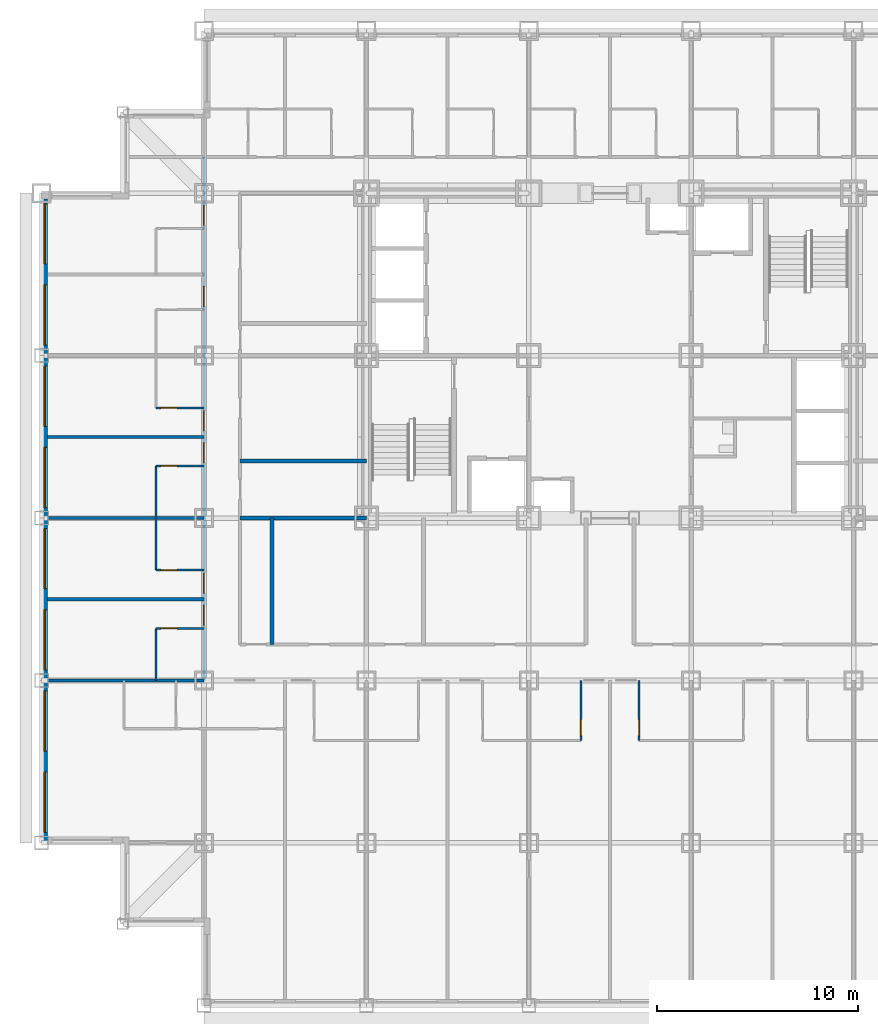
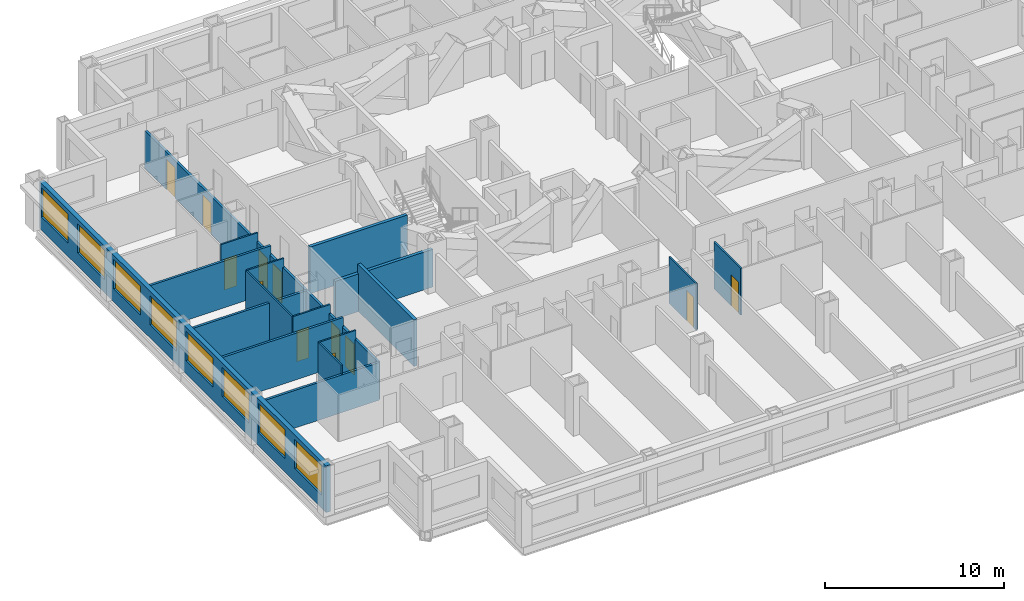
# One storey, part 4 of 13: 17 walls, 12 doors, 8 windows, 20 openings.
"""IFC4 building model written with IfcOpenShell, lengths in metres."""

from ifc_helpers import new_model, si_unit, direction, frame, frame_2d, origin, place, context, subcontext, project, spatial, rectangle, extrude, material, layer, layer_set, type_object, element, fill, save


model = new_model("IFC4")

# Units and contexts
model_context = context("Model", 3, precision=1e-05, world=origin(), true_north=direction((0.0, 1.0)))
body_context = subcontext(model_context, "Body", "Model", "MODEL_VIEW")
ifc_project = project(units=[si_unit("LENGTHUNIT", "METRE"), si_unit("AREAUNIT", "SQUARE_METRE"), si_unit("VOLUMEUNIT", "CUBIC_METRE"), si_unit("PLANEANGLEUNIT", "RADIAN"), si_unit("MASSUNIT", "GRAM", prefix="KILO")], contexts=[model_context])

# Site, building, storey
site_placement = place(None, origin())
site = spatial("IfcSite", under=ifc_project, at=site_placement, CompositionType="ELEMENT")
building_placement = place(site_placement, origin())
building = spatial("IfcBuilding", under=site, at=building_placement, Name="Kopane Lantern Tower", CompositionType="ELEMENT")
storey_placement = place(building_placement, frame((0.0, 0.0, 50.0)))
storey = spatial("IfcBuildingStorey", under=building, at=storey_placement, Name="L11", CompositionType="ELEMENT", Elevation=50.0)

# Wall, opening, door
ifc_material_1 = material(Name="Moisture-resistant board on steel studs", Category="steel")
ifc_layer_1 = layer(ifc_material_1, 0.10009765625)
ifc_layer_set_1 = layer_set([ifc_layer_1], Name="BATHROOM WALL 100")
wall_type_1 = type_object("IfcWallType", Name="BATHROOM WALL 100", PredefinedType="PARTITIONING", material=ifc_layer_set_1)
wall_1_placement = place(storey_placement, frame((26.89990234375, 16.199951171875, 0.0), z_axis=(0.0, 0.0, 1.0), x_axis=(0.0, -1.0, 0.0)))
wall_1 = element("IfcWall", 1, at=wall_1_placement, inside=storey, type_object=wall_type_1, Name="Bathroom Wall 100 L11", PredefinedType="PARTITIONING", context=body_context, shape_type="SweptSolid", body=[
    extrude(rectangle(XDim=3.0, YDim=0.10009765625, at=frame_2d((1.5, 0.0))), origin(), (0.0, 0.0, 1.0), 3.18994140625),
])
opening_1_placement = place(wall_1_placement, frame((1.949951171875, 0.0, 0.0)))
opening_1 = element("IfcOpeningElement", 2, at=opening_1_placement, cuts=wall_1, Name="Opening L11-022", PredefinedType="OPENING", context=body_context, shape_type="SweptSolid", body=[
    extrude(rectangle(XDim=0.800048828125, YDim=2.10009765625, at=frame_2d((0.39990234375, 1.050048828125))), frame((0.0, 0.06005859375, 0.0), z_axis=(0.0, -1.0, 0.0), x_axis=(1.0, 0.0, 0.0)), (0.0, 0.0, 1.0), 0.1201171875),
])
ifc_material_2 = material(Name="Timber door set", Category="wood")
door_type_1 = type_object("IfcDoorType", Name="DOOR D2 800x2100", OperationType="SINGLE_SWING_LEFT", PredefinedType="DOOR", material=ifc_material_2)
door_1_placement = place(opening_1_placement, origin())
door_1 = element("IfcDoor", 3, at=door_1_placement, inside=storey, type_object=door_type_1, Name="Door L11-022", OperationType="SINGLE_SWING_LEFT", OverallHeight=2.10009765625, OverallWidth=0.800048828125, PredefinedType="DOOR", context=body_context, shape_type="SweptSolid", body=[
    extrude(rectangle(XDim=0.800048828125, YDim=2.10009765625, at=frame_2d((0.39990234375, 1.050048828125))), frame((0.0, 0.02490234375, 0.0), z_axis=(0.0, -1.0, 0.0), x_axis=(1.0, 0.0, 0.0)), (0.0, 0.0, 1.0), 0.050048828125),
])
fill(opening_1, door_1)

wall_2_placement = place(storey_placement, frame((29.800048828125, 16.199951171875, 0.0), z_axis=(0.0, 0.0, 1.0), x_axis=(0.0, -1.0, 0.0)))
wall_2 = element("IfcWall", 4, at=wall_2_placement, inside=storey, type_object=wall_type_1, Name="Bathroom Wall 100 L11", PredefinedType="PARTITIONING", context=body_context, shape_type="SweptSolid", body=[
    extrude(rectangle(XDim=3.0, YDim=0.10009765625, at=frame_2d((1.5, 0.0))), origin(), (0.0, 0.0, 1.0), 3.18994140625),
])
opening_2_placement = place(wall_2_placement, frame((1.949951171875, 0.0, 0.0)))
opening_2 = element("IfcOpeningElement", 5, at=opening_2_placement, cuts=wall_2, Name="Opening L11-025", PredefinedType="OPENING", context=body_context, shape_type="SweptSolid", body=[
    extrude(rectangle(XDim=0.800048828125, YDim=2.10009765625, at=frame_2d((0.39990234375, 1.050048828125))), frame((0.0, 0.06005859375, 0.0), z_axis=(0.0, -1.0, 0.0), x_axis=(1.0, 0.0, 0.0)), (0.0, 0.0, 1.0), 0.1201171875),
])
door_2_placement = place(opening_2_placement, origin())
door_2 = element("IfcDoor", 6, at=door_2_placement, inside=storey, type_object=door_type_1, Name="Door L11-025", OperationType="SINGLE_SWING_RIGHT", OverallHeight=2.10009765625, OverallWidth=0.800048828125, PredefinedType="DOOR", context=body_context, shape_type="SweptSolid", body=[
    extrude(rectangle(XDim=0.800048828125, YDim=2.10009765625, at=frame_2d((0.39990234375, 1.050048828125))), frame((0.0, 0.02490234375, 0.0), z_axis=(0.0, -1.0, 0.0), x_axis=(1.0, 0.0, 0.0)), (0.0, 0.0, 1.0), 0.050048828125),
])
fill(opening_2, door_2)

# Wall
wall_3_placement = place(storey_placement, frame((5.699951171875, 16.199951171875, 0.0), z_axis=(0.0, 0.0, 1.0), x_axis=(0.0, 1.0, 0.0)))
element("IfcWall", 7, at=wall_3_placement, inside=storey, type_object=wall_type_1, Name="Bathroom Wall 100 L11", PredefinedType="PARTITIONING", context=body_context, shape_type="SweptSolid", body=[
    extrude(rectangle(XDim=2.60009765625, YDim=0.10009765625, at=frame_2d((1.300048828125, 0.0))), origin(), (0.0, 0.0, 1.0), 3.18994140625),
])

# Wall, opening, door
wall_4_placement = place(storey_placement, frame((8.10009765625, 18.800048828125, 0.0), z_axis=(0.0, 0.0, 1.0), x_axis=(-1.0, 0.0, 0.0)))
wall_4 = element("IfcWall", 8, at=wall_4_placement, inside=storey, type_object=wall_type_1, Name="Bathroom Wall 100 L11", PredefinedType="PARTITIONING", context=body_context, shape_type="SweptSolid", body=[
    extrude(rectangle(XDim=2.400146484375, YDim=0.10009765625, at=frame_2d((1.2001953125, 0.0))), origin(), (0.0, 0.0, 1.0), 3.18994140625),
])
opening_3_placement = place(wall_4_placement, frame((1.35009765625, 0.0, 0.0)))
opening_3 = element("IfcOpeningElement", 9, at=opening_3_placement, cuts=wall_4, Name="Opening L11-049", PredefinedType="OPENING", context=body_context, shape_type="SweptSolid", body=[
    extrude(rectangle(XDim=0.800048828125, YDim=2.10009765625, at=frame_2d((0.39990234375, 1.050048828125))), frame((0.0, 0.06005859375, 0.0), z_axis=(0.0, -1.0, 0.0), x_axis=(1.0, 0.0, 0.0)), (0.0, 0.0, 1.0), 0.1201171875),
])
door_3_placement = place(opening_3_placement, origin())
door_3 = element("IfcDoor", 10, at=door_3_placement, inside=storey, type_object=door_type_1, Name="Door L11-049", OperationType="SINGLE_SWING_RIGHT", OverallHeight=2.10009765625, OverallWidth=0.800048828125, PredefinedType="DOOR", context=body_context, shape_type="SweptSolid", body=[
    extrude(rectangle(XDim=0.800048828125, YDim=2.10009765625, at=frame_2d((0.39990234375, 1.050048828125))), frame((0.0, 0.02490234375, 0.0), z_axis=(0.0, -1.0, 0.0), x_axis=(1.0, 0.0, 0.0)), (0.0, 0.0, 1.0), 0.050048828125),
])
fill(opening_3, door_3)

# Wall
wall_5_placement = place(storey_placement, frame((5.699951171875, 21.699951171875, 0.0), z_axis=(0.0, 0.0, 1.0), x_axis=(0.0, 1.0, 0.0)))
element("IfcWall", 11, at=wall_5_placement, inside=storey, type_object=wall_type_1, Name="Bathroom Wall 100 L11", PredefinedType="PARTITIONING", context=body_context, shape_type="SweptSolid", body=[
    extrude(rectangle(XDim=5.199951171875, YDim=0.10009765625, at=frame_2d((2.60009765625, 0.0))), origin(), (0.0, 0.0, 1.0), 3.18994140625),
])

# Wall, opening, door
wall_6_placement = place(storey_placement, frame((8.10009765625, 21.699951171875, 0.0), z_axis=(0.0, 0.0, 1.0), x_axis=(-1.0, 0.0, 0.0)))
wall_6 = element("IfcWall", 12, at=wall_6_placement, inside=storey, type_object=wall_type_1, Name="Bathroom Wall 100 L11", PredefinedType="PARTITIONING", context=body_context, shape_type="SweptSolid", body=[
    extrude(rectangle(XDim=2.400146484375, YDim=0.10009765625, at=frame_2d((1.2001953125, 0.0))), origin(), (0.0, 0.0, 1.0), 3.18994140625),
])
opening_4_placement = place(wall_6_placement, frame((1.35009765625, 0.0, 0.0)))
opening_4 = element("IfcOpeningElement", 13, at=opening_4_placement, cuts=wall_6, Name="Opening L11-051", PredefinedType="OPENING", context=body_context, shape_type="SweptSolid", body=[
    extrude(rectangle(XDim=0.800048828125, YDim=2.10009765625, at=frame_2d((0.39990234375, 1.050048828125))), frame((0.0, 0.06005859375, 0.0), z_axis=(0.0, -1.0, 0.0), x_axis=(1.0, 0.0, 0.0)), (0.0, 0.0, 1.0), 0.1201171875),
])
door_4_placement = place(opening_4_placement, origin())
door_4 = element("IfcDoor", 14, at=door_4_placement, inside=storey, type_object=door_type_1, Name="Door L11-051", OperationType="SINGLE_SWING_LEFT", OverallHeight=2.10009765625, OverallWidth=0.800048828125, PredefinedType="DOOR", context=body_context, shape_type="SweptSolid", body=[
    extrude(rectangle(XDim=0.800048828125, YDim=2.10009765625, at=frame_2d((0.39990234375, 1.050048828125))), frame((0.0, 0.02490234375, 0.0), z_axis=(0.0, -1.0, 0.0), x_axis=(1.0, 0.0, 0.0)), (0.0, 0.0, 1.0), 0.050048828125),
])
fill(opening_4, door_4)

wall_7_placement = place(storey_placement, frame((8.10009765625, 26.89990234375, 0.0), z_axis=(0.0, 0.0, 1.0), x_axis=(-1.0, 0.0, 0.0)))
wall_7 = element("IfcWall", 15, at=wall_7_placement, inside=storey, type_object=wall_type_1, Name="Bathroom Wall 100 L11", PredefinedType="PARTITIONING", context=body_context, shape_type="SweptSolid", body=[
    extrude(rectangle(XDim=2.400146484375, YDim=0.10009765625, at=frame_2d((1.2001953125, 0.0))), origin(), (0.0, 0.0, 1.0), 3.18994140625),
])
opening_5_placement = place(wall_7_placement, frame((1.35009765625, 0.0, 0.0)))
opening_5 = element("IfcOpeningElement", 16, at=opening_5_placement, cuts=wall_7, Name="Opening L11-053", PredefinedType="OPENING", context=body_context, shape_type="SweptSolid", body=[
    extrude(rectangle(XDim=0.800048828125, YDim=2.10009765625, at=frame_2d((0.39990234375, 1.050048828125))), frame((0.0, 0.06005859375, 0.0), z_axis=(0.0, -1.0, 0.0), x_axis=(1.0, 0.0, 0.0)), (0.0, 0.0, 1.0), 0.1201171875),
])
door_5_placement = place(opening_5_placement, origin())
door_5 = element("IfcDoor", 17, at=door_5_placement, inside=storey, type_object=door_type_1, Name="Door L11-053", OperationType="SINGLE_SWING_RIGHT", OverallHeight=2.10009765625, OverallWidth=0.800048828125, PredefinedType="DOOR", context=body_context, shape_type="SweptSolid", body=[
    extrude(rectangle(XDim=0.800048828125, YDim=2.10009765625, at=frame_2d((0.39990234375, 1.050048828125))), frame((0.0, 0.02490234375, 0.0), z_axis=(0.0, -1.0, 0.0), x_axis=(1.0, 0.0, 0.0)), (0.0, 0.0, 1.0), 0.050048828125),
])
fill(opening_5, door_5)

wall_8_placement = place(storey_placement, frame((8.10009765625, 29.800048828125, 0.0), z_axis=(0.0, 0.0, 1.0), x_axis=(-1.0, 0.0, 0.0)))
wall_8 = element("IfcWall", 18, at=wall_8_placement, inside=storey, type_object=wall_type_1, Name="Bathroom Wall 100 L11", PredefinedType="PARTITIONING", context=body_context, shape_type="SweptSolid", body=[
    extrude(rectangle(XDim=2.400146484375, YDim=0.10009765625, at=frame_2d((1.2001953125, 0.0))), origin(), (0.0, 0.0, 1.0), 3.18994140625),
])
opening_6_placement = place(wall_8_placement, frame((1.35009765625, 0.0, 0.0)))
opening_6 = element("IfcOpeningElement", 19, at=opening_6_placement, cuts=wall_8, Name="Opening L11-055", PredefinedType="OPENING", context=body_context, shape_type="SweptSolid", body=[
    extrude(rectangle(XDim=0.800048828125, YDim=2.10009765625, at=frame_2d((0.39990234375, 1.050048828125))), frame((0.0, 0.06005859375, 0.0), z_axis=(0.0, -1.0, 0.0), x_axis=(1.0, 0.0, 0.0)), (0.0, 0.0, 1.0), 0.1201171875),
])
door_6_placement = place(opening_6_placement, origin())
door_6 = element("IfcDoor", 20, at=door_6_placement, inside=storey, type_object=door_type_1, Name="Door L11-055", OperationType="SINGLE_SWING_LEFT", OverallHeight=2.10009765625, OverallWidth=0.800048828125, PredefinedType="DOOR", context=body_context, shape_type="SweptSolid", body=[
    extrude(rectangle(XDim=0.800048828125, YDim=2.10009765625, at=frame_2d((0.39990234375, 1.050048828125))), frame((0.0, 0.02490234375, 0.0), z_axis=(0.0, -1.0, 0.0), x_axis=(1.0, 0.0, 0.0)), (0.0, 0.0, 1.0), 0.050048828125),
])
fill(opening_6, door_6)

# Wall, openings, doors
ifc_material_3 = material(Name="Gypsum board on steel studs", Category="steel")
ifc_layer_2 = layer(ifc_material_3, 0.14990234375)
ifc_layer_set_2 = layer_set([ifc_layer_2], Name="CORRIDOR WALL 150 EI 60")
wall_type_2 = type_object("IfcWallType", Name="CORRIDOR WALL 150 EI 60", PredefinedType="PARTITIONING", material=ifc_layer_set_2)
wall_9_placement = place(storey_placement, frame((8.10009765625, 16.199951171875, 0.0), z_axis=(0.0, 0.0, 1.0), x_axis=(0.0, 1.0, 0.0)))
wall_9 = element("IfcWall", 21, at=wall_9_placement, inside=storey, type_object=wall_type_2, Name="Corridor Wall 150 Ei 60 L11", PredefinedType="PARTITIONING", context=body_context, shape_type="SweptSolid", body=[
    extrude(rectangle(XDim=26.10009765625, YDim=0.14990234375, at=frame_2d((13.050048828125, 0.0))), origin(), (0.0, 0.0, 1.0), 2.577880859375),
])
opening_7_placement = place(wall_9_placement, frame((2.75, 0.0, 0.0)))
opening_7 = element("IfcOpeningElement", 22, at=opening_7_placement, cuts=wall_9, Name="Opening L11-050", PredefinedType="OPENING", context=body_context, shape_type="SweptSolid", body=[
    extrude(rectangle(XDim=1.0, YDim=2.10009765625, at=frame_2d((0.5, 1.050048828125))), frame((0.0, 0.0849609375, 0.0), z_axis=(0.0, -1.0, 0.0), x_axis=(1.0, 0.0, 0.0)), (0.0, 0.0, 1.0), 0.169921875),
])
opening_8_placement = place(wall_9_placement, frame((4.35009765625, 0.0, 0.0)))
opening_8 = element("IfcOpeningElement", 23, at=opening_8_placement, cuts=wall_9, Name="Opening L11-052", PredefinedType="OPENING", context=body_context, shape_type="SweptSolid", body=[
    extrude(rectangle(XDim=1.0, YDim=2.10009765625, at=frame_2d((0.5, 1.050048828125))), frame((0.0, 0.0849609375, 0.0), z_axis=(0.0, -1.0, 0.0), x_axis=(1.0, 0.0, 0.0)), (0.0, 0.0, 1.0), 0.169921875),
])
opening_9_placement = place(wall_9_placement, frame((10.85009765625, 0.0, 0.0)))
opening_9 = element("IfcOpeningElement", 24, at=opening_9_placement, cuts=wall_9, Name="Opening L11-054", PredefinedType="OPENING", context=body_context, shape_type="SweptSolid", body=[
    extrude(rectangle(XDim=1.0, YDim=2.10009765625, at=frame_2d((0.5, 1.050048828125))), frame((0.0, 0.0849609375, 0.0), z_axis=(0.0, -1.0, 0.0), x_axis=(1.0, 0.0, 0.0)), (0.0, 0.0, 1.0), 0.169921875),
])
opening_10_placement = place(wall_9_placement, frame((12.449951171875, 0.0, 0.0)))
opening_10 = element("IfcOpeningElement", 25, at=opening_10_placement, cuts=wall_9, Name="Opening L11-056", PredefinedType="OPENING", context=body_context, shape_type="SweptSolid", body=[
    extrude(rectangle(XDim=1.0, YDim=2.10009765625, at=frame_2d((0.5, 1.050048828125))), frame((0.0, 0.0849609375, 0.0), z_axis=(0.0, -1.0, 0.0), x_axis=(1.0, 0.0, 0.0)), (0.0, 0.0, 1.0), 0.169921875),
])
opening_11_placement = place(wall_9_placement, frame((18.64990234375, 0.0, 0.0)))
opening_11 = element("IfcOpeningElement", 26, at=opening_11_placement, cuts=wall_9, Name="Opening L11-058", PredefinedType="OPENING", context=body_context, shape_type="SweptSolid", body=[
    extrude(rectangle(XDim=1.0, YDim=2.10009765625, at=frame_2d((0.5, 1.050048828125))), frame((0.0, 0.0849609375, 0.0), z_axis=(0.0, -1.0, 0.0), x_axis=(1.0, 0.0, 0.0)), (0.0, 0.0, 1.0), 0.169921875),
])
opening_12_placement = place(wall_9_placement, frame((22.699951171875, 0.0, 0.0)))
opening_12 = element("IfcOpeningElement", 27, at=opening_12_placement, cuts=wall_9, Name="Opening L11-060", PredefinedType="OPENING", context=body_context, shape_type="SweptSolid", body=[
    extrude(rectangle(XDim=1.0, YDim=2.10009765625, at=frame_2d((0.5, 1.050048828125))), frame((0.0, 0.0849609375, 0.0), z_axis=(0.0, -1.0, 0.0), x_axis=(1.0, 0.0, 0.0)), (0.0, 0.0, 1.0), 0.169921875),
])
ifc_material_4 = material(Name="Steel door set", Category="steel")
door_type_2 = type_object("IfcDoorType", Name="DOOR D1 1000x2100 FD30S", OperationType="SINGLE_SWING_LEFT", PredefinedType="DOOR", material=ifc_material_4)
door_7_placement = place(opening_7_placement, origin())
door_7 = element("IfcDoor", 28, at=door_7_placement, inside=storey, type_object=door_type_2, Name="Door L11-050", OperationType="SINGLE_SWING_LEFT", OverallHeight=2.10009765625, OverallWidth=1.0, PredefinedType="DOOR", context=body_context, shape_type="SweptSolid", body=[
    extrude(rectangle(XDim=1.0, YDim=2.10009765625, at=frame_2d((0.5, 1.050048828125))), frame((0.0, 0.02490234375, 0.0), z_axis=(0.0, -1.0, 0.0), x_axis=(1.0, 0.0, 0.0)), (0.0, 0.0, 1.0), 0.050048828125),
])
fill(opening_7, door_7)
door_8_placement = place(opening_8_placement, origin())
door_8 = element("IfcDoor", 29, at=door_8_placement, inside=storey, type_object=door_type_2, Name="Door L11-052", OperationType="SINGLE_SWING_RIGHT", OverallHeight=2.10009765625, OverallWidth=1.0, PredefinedType="DOOR", context=body_context, shape_type="SweptSolid", body=[
    extrude(rectangle(XDim=1.0, YDim=2.10009765625, at=frame_2d((0.5, 1.050048828125))), frame((0.0, 0.02490234375, 0.0), z_axis=(0.0, -1.0, 0.0), x_axis=(1.0, 0.0, 0.0)), (0.0, 0.0, 1.0), 0.050048828125),
])
fill(opening_8, door_8)
door_9_placement = place(opening_9_placement, origin())
door_9 = element("IfcDoor", 30, at=door_9_placement, inside=storey, type_object=door_type_2, Name="Door L11-054", OperationType="SINGLE_SWING_LEFT", OverallHeight=2.10009765625, OverallWidth=1.0, PredefinedType="DOOR", context=body_context, shape_type="SweptSolid", body=[
    extrude(rectangle(XDim=1.0, YDim=2.10009765625, at=frame_2d((0.5, 1.050048828125))), frame((0.0, 0.02490234375, 0.0), z_axis=(0.0, -1.0, 0.0), x_axis=(1.0, 0.0, 0.0)), (0.0, 0.0, 1.0), 0.050048828125),
])
fill(opening_9, door_9)
door_10_placement = place(opening_10_placement, origin())
door_10 = element("IfcDoor", 31, at=door_10_placement, inside=storey, type_object=door_type_2, Name="Door L11-056", OperationType="SINGLE_SWING_RIGHT", OverallHeight=2.10009765625, OverallWidth=1.0, PredefinedType="DOOR", context=body_context, shape_type="SweptSolid", body=[
    extrude(rectangle(XDim=1.0, YDim=2.10009765625, at=frame_2d((0.5, 1.050048828125))), frame((0.0, 0.02490234375, 0.0), z_axis=(0.0, -1.0, 0.0), x_axis=(1.0, 0.0, 0.0)), (0.0, 0.0, 1.0), 0.050048828125),
])
fill(opening_10, door_10)
door_11_placement = place(opening_11_placement, origin())
door_11 = element("IfcDoor", 32, at=door_11_placement, inside=storey, type_object=door_type_2, Name="Door L11-058", OperationType="SINGLE_SWING_LEFT", OverallHeight=2.10009765625, OverallWidth=1.0, PredefinedType="DOOR", context=body_context, shape_type="SweptSolid", body=[
    extrude(rectangle(XDim=1.0, YDim=2.10009765625, at=frame_2d((0.5, 1.050048828125))), frame((0.0, 0.02490234375, 0.0), z_axis=(0.0, -1.0, 0.0), x_axis=(1.0, 0.0, 0.0)), (0.0, 0.0, 1.0), 0.050048828125),
])
fill(opening_11, door_11)
door_12_placement = place(opening_12_placement, origin())
door_12 = element("IfcDoor", 33, at=door_12_placement, inside=storey, type_object=door_type_2, Name="Door L11-060", OperationType="SINGLE_SWING_LEFT", OverallHeight=2.10009765625, OverallWidth=1.0, PredefinedType="DOOR", context=body_context, shape_type="SweptSolid", body=[
    extrude(rectangle(XDim=1.0, YDim=2.10009765625, at=frame_2d((0.5, 1.050048828125))), frame((0.0, 0.02490234375, 0.0), z_axis=(0.0, -1.0, 0.0), x_axis=(1.0, 0.0, 0.0)), (0.0, 0.0, 1.0), 0.050048828125),
])
fill(opening_12, door_12)

# Walls
ifc_material_5 = material(Name="Gypsum board on steel studs", Category="steel")
ifc_layer_3 = layer(ifc_material_5, 0.14990234375)
ifc_layer_set_3 = layer_set([ifc_layer_3], Name="DEMISING WALL 150 EI 60")
wall_type_3 = type_object("IfcWallType", Name="DEMISING WALL 150 EI 60", PredefinedType="PARTITIONING", material=ifc_layer_set_3)
wall_10_placement = place(storey_placement, frame((8.10009765625, 20.25, 0.0), z_axis=(0.0, 0.0, 1.0), x_axis=(-1.0, 0.0, 0.0)))
element("IfcWall", 34, at=wall_10_placement, inside=storey, type_object=wall_type_3, Name="Demising Wall 150 Ei 60 L11", PredefinedType="PARTITIONING", context=body_context, shape_type="SweptSolid", body=[
    extrude(rectangle(XDim=7.800048828125, YDim=0.14990234375, at=frame_2d((3.89990234375, 0.0))), origin(), (0.0, 0.0, 1.0), 3.18994140625),
])
wall_11_placement = place(storey_placement, frame((8.10009765625, 24.300048828125, 0.0), z_axis=(0.0, 0.0, 1.0), x_axis=(-1.0, 0.0, 0.0)))
element("IfcWall", 35, at=wall_11_placement, inside=storey, type_object=wall_type_3, Name="Demising Wall 150 Ei 60 L11", PredefinedType="PARTITIONING", context=body_context, shape_type="SweptSolid", body=[
    extrude(rectangle(XDim=7.800048828125, YDim=0.14990234375, at=frame_2d((3.89990234375, 0.0))), origin(), (0.0, 0.0, 1.0), 2.577880859375),
])
wall_12_placement = place(storey_placement, frame((8.10009765625, 28.35009765625, 0.0), z_axis=(0.0, 0.0, 1.0), x_axis=(-1.0, 0.0, 0.0)))
element("IfcWall", 36, at=wall_12_placement, inside=storey, type_object=wall_type_3, Name="Demising Wall 150 Ei 60 L11", PredefinedType="PARTITIONING", context=body_context, shape_type="SweptSolid", body=[
    extrude(rectangle(XDim=7.800048828125, YDim=0.14990234375, at=frame_2d((3.89990234375, 0.0))), origin(), (0.0, 0.0, 1.0), 3.18994140625),
])
wall_13_placement = place(storey_placement, frame((0.300048828125, 16.199951171875, 0.0), z_axis=(0.0, 0.0, 1.0), x_axis=(1.0, 0.0, 0.0)))
element("IfcWall", 37, at=wall_13_placement, inside=storey, type_object=wall_type_3, Name="Demising Wall 150 Ei 60 L11", PredefinedType="PARTITIONING", context=body_context, shape_type="SweptSolid", body=[
    extrude(rectangle(XDim=7.800048828125, YDim=0.14990234375, at=frame_2d((3.89990234375, 0.0))), origin(), (0.0, 0.0, 1.0), 2.577880859375),
])

# Wall, openings, windows
ifc_material_6 = material(Name="Terracotta rainscreen on light steel framing", Category="masonry")
ifc_layer_4 = layer(ifc_material_6, 0.300048828125)
ifc_layer_set_4 = layer_set([ifc_layer_4], Name="EXTERNAL WALL EW1 300 TERRACOTTA")
wall_type_4 = type_object("IfcWallType", Name="EXTERNAL WALL EW1 300 TERRACOTTA", PredefinedType="SOLIDWALL", material=ifc_layer_set_4)
wall_14_placement = place(storey_placement, frame((0.14990234375, 40.199951171875, 0.0), z_axis=(0.0, 0.0, 1.0), x_axis=(0.0, -1.0, 0.0)))
wall_14 = element("IfcWall", 38, at=wall_14_placement, inside=storey, type_object=wall_type_4, Name="External wall W L11", PredefinedType="SOLIDWALL", context=body_context, shape_type="SweptSolid", body=[
    extrude(rectangle(XDim=32.099853515625, YDim=0.300048828125, at=frame_2d((16.0498046875, 0.0))), origin(), (0.0, 0.0, 1.0), 3.18994140625),
])
opening_13_placement = place(wall_14_placement, frame((0.22509765625, 0.0, 0.89990234375)))
opening_13 = element("IfcOpeningElement", 39, at=opening_13_placement, cuts=wall_14, Name="Opening WR300200", PredefinedType="OPENING", context=body_context, shape_type="SweptSolid", body=[
    extrude(rectangle(XDim=3.0, YDim=2.0, at=frame_2d((1.5, 1.0))), frame((0.0, 0.159912109375, 0.0), z_axis=(0.0, -1.0, 0.0), x_axis=(1.0, 0.0, 0.0)), (0.0, 0.0, 1.0), 0.320068359375),
])
opening_14_placement = place(wall_14_placement, frame((4.27490234375, 0.0, 0.89990234375)))
opening_14 = element("IfcOpeningElement", 40, at=opening_14_placement, cuts=wall_14, Name="Opening WR300200", PredefinedType="OPENING", context=body_context, shape_type="SweptSolid", body=[
    extrude(rectangle(XDim=3.0, YDim=2.0, at=frame_2d((1.5, 1.0))), frame((0.0, 0.159912109375, 0.0), z_axis=(0.0, -1.0, 0.0), x_axis=(1.0, 0.0, 0.0)), (0.0, 0.0, 1.0), 0.320068359375),
])
opening_15_placement = place(wall_14_placement, frame((8.324951171875, 0.0, 0.89990234375)))
opening_15 = element("IfcOpeningElement", 41, at=opening_15_placement, cuts=wall_14, Name="Opening WR300200", PredefinedType="OPENING", context=body_context, shape_type="SweptSolid", body=[
    extrude(rectangle(XDim=3.0, YDim=2.0, at=frame_2d((1.5, 1.0))), frame((0.0, 0.159912109375, 0.0), z_axis=(0.0, -1.0, 0.0), x_axis=(1.0, 0.0, 0.0)), (0.0, 0.0, 1.0), 0.320068359375),
])
opening_16_placement = place(wall_14_placement, frame((12.375, 0.0, 0.89990234375)))
opening_16 = element("IfcOpeningElement", 42, at=opening_16_placement, cuts=wall_14, Name="Opening WR300200", PredefinedType="OPENING", context=body_context, shape_type="SweptSolid", body=[
    extrude(rectangle(XDim=3.0, YDim=2.0, at=frame_2d((1.5, 1.0))), frame((0.0, 0.159912109375, 0.0), z_axis=(0.0, -1.0, 0.0), x_axis=(1.0, 0.0, 0.0)), (0.0, 0.0, 1.0), 0.320068359375),
])
opening_17_placement = place(wall_14_placement, frame((16.425048828125, 0.0, 0.89990234375)))
opening_17 = element("IfcOpeningElement", 43, at=opening_17_placement, cuts=wall_14, Name="Opening WR300200", PredefinedType="OPENING", context=body_context, shape_type="SweptSolid", body=[
    extrude(rectangle(XDim=3.0, YDim=2.0, at=frame_2d((1.5, 1.0))), frame((0.0, 0.159912109375, 0.0), z_axis=(0.0, -1.0, 0.0), x_axis=(1.0, 0.0, 0.0)), (0.0, 0.0, 1.0), 0.320068359375),
])
opening_18_placement = place(wall_14_placement, frame((20.47509765625, 0.0, 0.89990234375)))
opening_18 = element("IfcOpeningElement", 44, at=opening_18_placement, cuts=wall_14, Name="Opening WR300200", PredefinedType="OPENING", context=body_context, shape_type="SweptSolid", body=[
    extrude(rectangle(XDim=3.0, YDim=2.0, at=frame_2d((1.5, 1.0))), frame((0.0, 0.159912109375, 0.0), z_axis=(0.0, -1.0, 0.0), x_axis=(1.0, 0.0, 0.0)), (0.0, 0.0, 1.0), 0.320068359375),
])
opening_19_placement = place(wall_14_placement, frame((24.52490234375, 0.0, 0.89990234375)))
opening_19 = element("IfcOpeningElement", 45, at=opening_19_placement, cuts=wall_14, Name="Opening WR300200", PredefinedType="OPENING", context=body_context, shape_type="SweptSolid", body=[
    extrude(rectangle(XDim=3.0, YDim=2.0, at=frame_2d((1.5, 1.0))), frame((0.0, 0.159912109375, 0.0), z_axis=(0.0, -1.0, 0.0), x_axis=(1.0, 0.0, 0.0)), (0.0, 0.0, 1.0), 0.320068359375),
])
opening_20_placement = place(wall_14_placement, frame((28.574951171875, 0.0, 0.89990234375)))
opening_20 = element("IfcOpeningElement", 46, at=opening_20_placement, cuts=wall_14, Name="Opening WR300200", PredefinedType="OPENING", context=body_context, shape_type="SweptSolid", body=[
    extrude(rectangle(XDim=3.0, YDim=2.0, at=frame_2d((1.5, 1.0))), frame((0.0, 0.159912109375, 0.0), z_axis=(0.0, -1.0, 0.0), x_axis=(1.0, 0.0, 0.0)), (0.0, 0.0, 1.0), 0.320068359375),
])
ifc_material_7 = material(Name="Aluminium and clear glass", Category="aluminium")
window_type = type_object("IfcWindowType", Name="RIBBON WINDOW WR300200 3000x2000", PartitioningType="SINGLE_PANEL", PredefinedType="WINDOW", material=ifc_material_7)
window_1_placement = place(opening_13_placement, origin())
window_1 = element("IfcWindow", 47, at=window_1_placement, inside=storey, type_object=window_type, Name="Window W L11", OverallHeight=2.0, OverallWidth=3.0, PartitioningType="SINGLE_PANEL", PredefinedType="WINDOW", context=body_context, shape_type="SweptSolid", body=[
    extrude(rectangle(XDim=3.0, YDim=2.0, at=frame_2d((1.5, 1.0))), frame((0.0, 0.030029296875, 0.0), z_axis=(0.0, -1.0, 0.0), x_axis=(1.0, 0.0, 0.0)), (0.0, 0.0, 1.0), 0.06005859375),
])
fill(opening_13, window_1)
window_2_placement = place(opening_14_placement, origin())
window_2 = element("IfcWindow", 48, at=window_2_placement, inside=storey, type_object=window_type, Name="Window W L11", OverallHeight=2.0, OverallWidth=3.0, PartitioningType="SINGLE_PANEL", PredefinedType="WINDOW", context=body_context, shape_type="SweptSolid", body=[
    extrude(rectangle(XDim=3.0, YDim=2.0, at=frame_2d((1.5, 1.0))), frame((0.0, 0.030029296875, 0.0), z_axis=(0.0, -1.0, 0.0), x_axis=(1.0, 0.0, 0.0)), (0.0, 0.0, 1.0), 0.06005859375),
])
fill(opening_14, window_2)
window_3_placement = place(opening_15_placement, origin())
window_3 = element("IfcWindow", 49, at=window_3_placement, inside=storey, type_object=window_type, Name="Window W L11", OverallHeight=2.0, OverallWidth=3.0, PartitioningType="SINGLE_PANEL", PredefinedType="WINDOW", context=body_context, shape_type="SweptSolid", body=[
    extrude(rectangle(XDim=3.0, YDim=2.0, at=frame_2d((1.5, 1.0))), frame((0.0, 0.030029296875, 0.0), z_axis=(0.0, -1.0, 0.0), x_axis=(1.0, 0.0, 0.0)), (0.0, 0.0, 1.0), 0.06005859375),
])
fill(opening_15, window_3)
window_4_placement = place(opening_16_placement, origin())
window_4 = element("IfcWindow", 50, at=window_4_placement, inside=storey, type_object=window_type, Name="Window W L11", OverallHeight=2.0, OverallWidth=3.0, PartitioningType="SINGLE_PANEL", PredefinedType="WINDOW", context=body_context, shape_type="SweptSolid", body=[
    extrude(rectangle(XDim=3.0, YDim=2.0, at=frame_2d((1.5, 1.0))), frame((0.0, 0.030029296875, 0.0), z_axis=(0.0, -1.0, 0.0), x_axis=(1.0, 0.0, 0.0)), (0.0, 0.0, 1.0), 0.06005859375),
])
fill(opening_16, window_4)
window_5_placement = place(opening_17_placement, origin())
window_5 = element("IfcWindow", 51, at=window_5_placement, inside=storey, type_object=window_type, Name="Window W L11", OverallHeight=2.0, OverallWidth=3.0, PartitioningType="SINGLE_PANEL", PredefinedType="WINDOW", context=body_context, shape_type="SweptSolid", body=[
    extrude(rectangle(XDim=3.0, YDim=2.0, at=frame_2d((1.5, 1.0))), frame((0.0, 0.030029296875, 0.0), z_axis=(0.0, -1.0, 0.0), x_axis=(1.0, 0.0, 0.0)), (0.0, 0.0, 1.0), 0.06005859375),
])
fill(opening_17, window_5)
window_6_placement = place(opening_18_placement, origin())
window_6 = element("IfcWindow", 52, at=window_6_placement, inside=storey, type_object=window_type, Name="Window W L11", OverallHeight=2.0, OverallWidth=3.0, PartitioningType="SINGLE_PANEL", PredefinedType="WINDOW", context=body_context, shape_type="SweptSolid", body=[
    extrude(rectangle(XDim=3.0, YDim=2.0, at=frame_2d((1.5, 1.0))), frame((0.0, 0.030029296875, 0.0), z_axis=(0.0, -1.0, 0.0), x_axis=(1.0, 0.0, 0.0)), (0.0, 0.0, 1.0), 0.06005859375),
])
fill(opening_18, window_6)
window_7_placement = place(opening_19_placement, origin())
window_7 = element("IfcWindow", 53, at=window_7_placement, inside=storey, type_object=window_type, Name="Window W L11", OverallHeight=2.0, OverallWidth=3.0, PartitioningType="SINGLE_PANEL", PredefinedType="WINDOW", context=body_context, shape_type="SweptSolid", body=[
    extrude(rectangle(XDim=3.0, YDim=2.0, at=frame_2d((1.5, 1.0))), frame((0.0, 0.030029296875, 0.0), z_axis=(0.0, -1.0, 0.0), x_axis=(1.0, 0.0, 0.0)), (0.0, 0.0, 1.0), 0.06005859375),
])
fill(opening_19, window_7)
window_8_placement = place(opening_20_placement, origin())
window_8 = element("IfcWindow", 54, at=window_8_placement, inside=storey, type_object=window_type, Name="Window W L11", OverallHeight=2.0, OverallWidth=3.0, PartitioningType="SINGLE_PANEL", PredefinedType="WINDOW", context=body_context, shape_type="SweptSolid", body=[
    extrude(rectangle(XDim=3.0, YDim=2.0, at=frame_2d((1.5, 1.0))), frame((0.0, 0.030029296875, 0.0), z_axis=(0.0, -1.0, 0.0), x_axis=(1.0, 0.0, 0.0)), (0.0, 0.0, 1.0), 0.06005859375),
])
fill(opening_20, window_8)

# Walls
ifc_material_8 = material(Name="Concrete masonry", Category="masonry")
ifc_layer_5 = layer(ifc_material_8, 0.199951171875)
ifc_layer_set_5 = layer_set([ifc_layer_5], Name="PLANT ROOM WALL 200 EI 120")
wall_type_5 = type_object("IfcWallType", Name="PLANT ROOM WALL 200 EI 120", PredefinedType="SOLIDWALL", material=ifc_layer_set_5)
for number, where, z_axis, x_axis, name in (
    (55, (9.89990234375, 27.156982421875, 0.0), (0.0, 0.0, 1.0), (1.0, 0.0, 0.0), "Plant Room Wall 200 Ei 120 L11"),
    (56, (11.5, 18.0, 0.0), (0.0, 0.0, 1.0), (0.0, 1.0, 0.0), "Plant Room Wall 200 Ei 120 L11"),
):
    element("IfcWall", number, at=place(storey_placement, frame(where, z_axis=z_axis, x_axis=x_axis)), inside=storey, type_object=wall_type_5, Name=name, PredefinedType="SOLIDWALL", context=body_context, shape_type="SweptSolid", body=[
        extrude(rectangle(XDim=6.300048828125, YDim=0.199951171875, at=frame_2d((3.14990234375, 0.0))), origin(), (0.0, 0.0, 1.0), 3.18994140625),
    ])
wall_15_placement = place(storey_placement, frame((9.89990234375, 24.300048828125, 0.0), z_axis=(0.0, 0.0, 1.0), x_axis=(1.0, 0.0, 0.0)))
element("IfcWall", 57, at=wall_15_placement, inside=storey, type_object=wall_type_5, Name="Plant Room Wall 200 Ei 120 L11", PredefinedType="SOLIDWALL", context=body_context, shape_type="SweptSolid", body=[
    extrude(rectangle(XDim=6.300048828125, YDim=0.199951171875, at=frame_2d((3.14990234375, 0.0))), origin(), (0.0, 0.0, 1.0), 2.577880859375),
])

save(model, "model.ifc")
